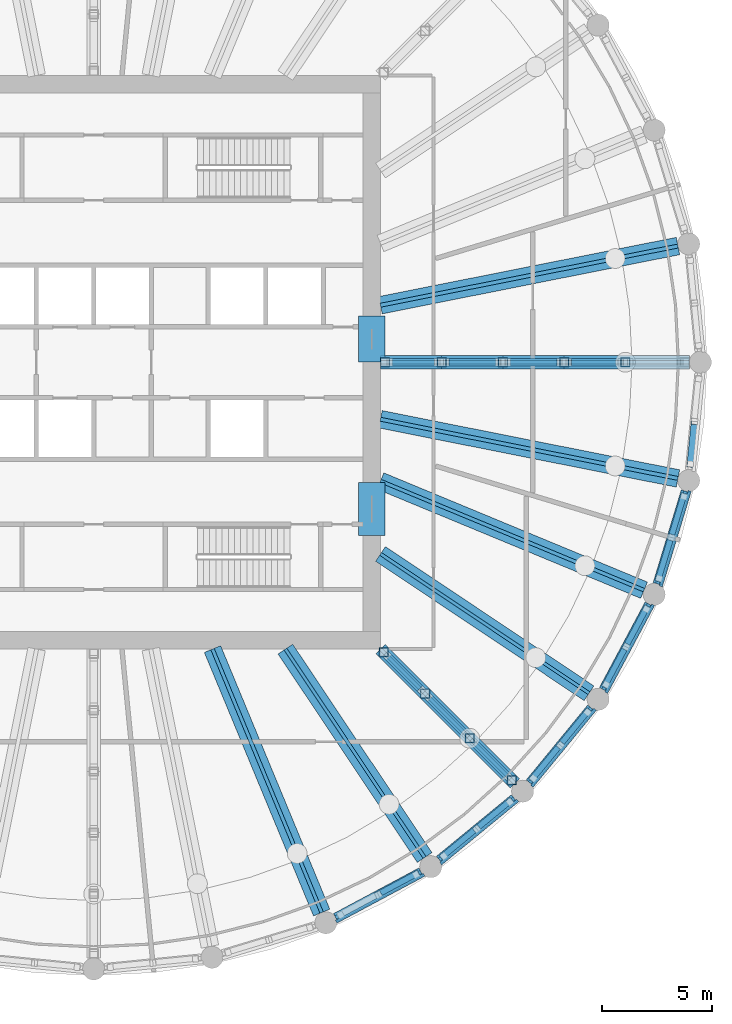
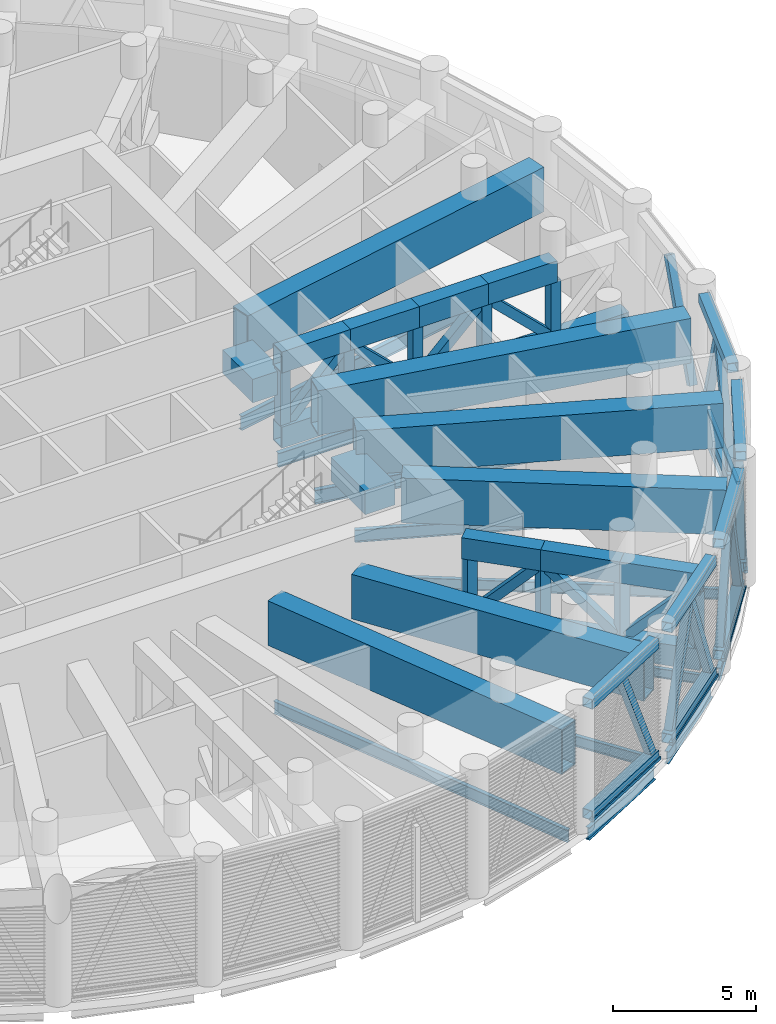
# One storey, part 4 of 24: 50 members, 21 beams, 5 elements without a shape of their own.
"""IFC4 building model written with IfcOpenShell, lengths in metres."""

from ifc_helpers import new_model, si_unit, direction, frame, origin, origin_2d, place, context, subcontext, project, spatial, rectangle, hollow_rectangle, i_section, extrude, material, material_profile, profile_set, type_object, element, aggregate, save


model = new_model("IFC4")

# Units and contexts
model_context = context("Model", 3, precision=1e-05, world=origin(), true_north=direction((0.0, 1.0)))
body_context = subcontext(model_context, "Body", "Model", "MODEL_VIEW")
ifc_project = project(units=[si_unit("LENGTHUNIT", "METRE"), si_unit("AREAUNIT", "SQUARE_METRE"), si_unit("VOLUMEUNIT", "CUBIC_METRE"), si_unit("PLANEANGLEUNIT", "RADIAN"), si_unit("MASSUNIT", "GRAM", prefix="KILO")], contexts=[model_context])

# Site, building, storey
site_placement = place(None, origin())
site = spatial("IfcSite", under=ifc_project, at=site_placement, CompositionType="ELEMENT")
building_placement = place(site_placement, origin())
building = spatial("IfcBuilding", under=site, at=building_placement, Name="Corvane Civic Tower", CompositionType="ELEMENT")
storey_placement = place(building_placement, frame((0.0, 0.0, 257.5)))
storey = spatial("IfcBuildingStorey", under=building, at=storey_placement, Name="L61", CompositionType="ELEMENT", Elevation=257.5)

# Members
ifc_material_1 = material(Name="Steel ASTM A500 Gr C", Category="steel")
ifc_material_profile_1 = material_profile(ifc_material_1, hollow_rectangle(XDim=0.406494140625, YDim=0.406494140625, WallThickness=0.0146484375, at=origin_2d()), Name="HSS16X16X5/8")
ifc_profile_set_1 = profile_set([ifc_material_profile_1], Name="Steel ASTM A500 Gr C")
member_type_1 = type_object("IfcMemberType", Name="BELT CHORD HSS16X16X5/8", PredefinedType="CHORD", material=ifc_profile_set_1)
for number, where, z_axis, x_axis, name in (
    (1, (26.826416015625, -5.843505859375, 4.94677734375), (-0.290254307888, -0.956949547653, 0.0), (0.956949547653, -0.290254307888, 0.0), "Belt truss BT-L61"),
    (2, (26.826416015625, -5.843505859375, 0.203125), (-0.290254307888, -0.956949547653, 0.0), (0.956949547653, -0.290254307888, 0.0), "Belt truss BT-L61"),
):
    element("IfcMember", number, at=place(storey_placement, frame(where, z_axis=z_axis, x_axis=x_axis)), inside=storey, type_object=member_type_1, Name=name, PredefinedType="CHORD", context=body_context, shape_type="SweptSolid", body=[
        extrude(hollow_rectangle(XDim=0.406494140625, YDim=0.406494140625, WallThickness=0.0146484375, at=origin_2d()), origin(), (0.0, 0.0, 1.0), 4.390625),
    ])
for number, where, z_axis, x_axis, name in (
    (3, (25.171142578125, -10.964599609375, 4.94677734375), (-0.471422006704, -0.881907756852, 0.0), (0.881907756852, -0.471422006704, 0.0), "Belt truss BT-L61"),
    (4, (25.171142578125, -10.964599609375, 0.203125), (-0.471422006704, -0.881907756852, 0.0), (0.881907756852, -0.471422006704, 0.0), "Belt truss BT-L61"),
    (5, (22.54833984375, -15.66455078125, 4.94677734375), (-0.634369433447, -0.773030026524, 0.0), (0.773030026524, -0.634369433447, 0.0), "Belt truss BT-L61"),
    (6, (22.54833984375, -15.66455078125, 0.203125), (-0.634369433447, -0.773030026524, 0.0), (0.773030026524, -0.634369433447, 0.0), "Belt truss BT-L61"),
    (7, (19.05908203125, -19.7626953125, 4.94677734375), (-0.773030026524, -0.634369433447, 0.0), (0.634369433447, -0.773030026524, 0.0), "Belt truss BT-L61"),
    (8, (19.05908203125, -19.7626953125, 0.203125), (-0.773030026524, -0.634369433447, 0.0), (0.634369433447, -0.773030026524, 0.0), "Belt truss BT-L61"),
    (9, (14.837158203125, -23.10107421875, 4.94677734375), (-0.881907756852, -0.471422006704, 0.0), (0.471422006704, -0.881907756852, 0.0), "Belt truss BT-L61"),
    (10, (14.837158203125, -23.10107421875, 0.203125), (-0.881907756852, -0.471422006704, 0.0), (0.471422006704, -0.881907756852, 0.0), "Belt truss BT-L61"),
):
    element("IfcMember", number, at=place(storey_placement, frame(where, z_axis=z_axis, x_axis=x_axis)), inside=storey, type_object=member_type_1, Name=name, PredefinedType="CHORD", context=body_context, shape_type="SweptSolid", body=[
        extrude(hollow_rectangle(XDim=0.406494140625, YDim=0.406494140625, WallThickness=0.0146484375, at=origin_2d()), origin(), (0.0, 0.0, 1.0), 4.39111328125),
    ])
ifc_material_2 = material(Name="Steel ASTM A500 Gr C", Category="steel")
ifc_material_profile_2 = material_profile(ifc_material_2, hollow_rectangle(XDim=0.3046875, YDim=0.3046875, WallThickness=0.01171875, at=origin_2d()), Name="HSS12X12X1/2")
ifc_profile_set_2 = profile_set([ifc_material_profile_2], Name="Steel ASTM A500 Gr C")
member_type_2 = type_object("IfcMemberType", Name="BELT DIAGONAL HSS12X12X1/2", PredefinedType="BRACE", material=ifc_profile_set_2)
for number, where, z_axis, x_axis, name in (
    (11, (27.045166015625, -4.61865234375, 0.406494140625), (0.040112508344, 0.407288336964, 0.912418323603), (-0.995185177501, 0.098012562879, 0.0), "Belt truss BT-L61"),
    (12, (26.75390625, -6.082763671875, 0.406494140625), (-0.118797380239, -0.391625604983, 0.912423458691), (0.956940979373, -0.290282555448, 0.0), "Belt truss BT-L61"),
    (13, (25.62451171875, -9.805908203125, 0.406494140625), (0.118797380239, 0.391625604983, 0.912423458691), (-0.956940979373, 0.290282555448, 0.0), "Belt truss BT-L61"),
    (14, (25.05322265625, -11.18505859375, 0.406494140625), (-0.192908446301, -0.36095861571, 0.912411754139), (0.88194965747, -0.471343613184, 0.0), "Belt truss BT-L61"),
):
    element("IfcMember", number, at=place(storey_placement, frame(where, z_axis=z_axis, x_axis=x_axis)), inside=storey, type_object=member_type_2, Name=name, PredefinedType="BRACE", context=body_context, shape_type="SweptSolid", body=[
        extrude(hollow_rectangle(XDim=0.3046875, YDim=0.3046875, WallThickness=0.01171875, at=origin_2d()), origin(), (0.0, 0.0, 1.0), 4.75341796875),
    ])
member_1_placement = place(storey_placement, frame((23.218994140625, -14.61669921875, 0.406494140625), z_axis=(0.192957894346, 0.360955038984, 0.912402713083), x_axis=(-0.881897488442, 0.47144121572, 0.0)))
element("IfcMember", 15, at=member_1_placement, inside=storey, type_object=member_type_2, Name="Belt truss BT-L61", PredefinedType="BRACE", context=body_context, shape_type="SweptSolid", body=[
    extrude(hollow_rectangle(XDim=0.3046875, YDim=0.3046875, WallThickness=0.01171875, at=origin_2d()), origin(), (0.0, 0.0, 1.0), 4.753662109375),
])
for number, where, z_axis, x_axis, name in (
    (16, (22.3896484375, -15.85791015625, 0.406494140625), (-0.259625765734, -0.316378776839, 0.912413793919), (0.773033921437, -0.634364687153, 0.0), "Belt truss BT-L61"),
    (17, (19.92138671875, -18.86572265625, 0.406494140625), (0.259625765734, 0.316378776839, 0.912413793919), (-0.773033921437, 0.634364687153, 0.0), "Belt truss BT-L61"),
    (18, (18.86572265625, -19.92138671875, 0.406494140625), (-0.316378776839, -0.259625765734, 0.912413793919), (0.634364687153, -0.773033921437, 0.0), "Belt truss BT-L61"),
    (19, (15.85791015625, -22.3896484375, 0.406494140625), (0.316378776839, 0.259625765734, 0.912413793919), (-0.634364687153, 0.773033921437, 0.0), "Belt truss BT-L61"),
):
    element("IfcMember", number, at=place(storey_placement, frame(where, z_axis=z_axis, x_axis=x_axis)), inside=storey, type_object=member_type_2, Name=name, PredefinedType="BRACE", context=body_context, shape_type="SweptSolid", body=[
        extrude(hollow_rectangle(XDim=0.3046875, YDim=0.3046875, WallThickness=0.01171875, at=origin_2d()), origin(), (0.0, 0.0, 1.0), 4.75341796875),
    ])
member_2_placement = place(storey_placement, frame((14.61669921875, -23.218994140625, 0.406494140625), z_axis=(-0.360955038984, -0.192957894346, 0.912402713083), x_axis=(0.47144121572, -0.881897488442, 0.0)))
element("IfcMember", 20, at=member_2_placement, inside=storey, type_object=member_type_2, Name="Belt truss BT-L61", PredefinedType="BRACE", context=body_context, shape_type="SweptSolid", body=[
    extrude(hollow_rectangle(XDim=0.3046875, YDim=0.3046875, WallThickness=0.01171875, at=origin_2d()), origin(), (0.0, 0.0, 1.0), 4.753662109375),
])

# Beams
ifc_material_3 = material(Name="Concrete C50/60", Category="concrete")
ifc_material_profile_3 = material_profile(ifc_material_3, rectangle(XDim=1.199951171875, YDim=1.0, at=origin_2d()), Name="COUPLING BEAM 1200X1000")
ifc_profile_set_3 = profile_set([ifc_material_profile_3], Name="Concrete C50/60")
beam_type_1 = type_object("IfcBeamType", Name="COUPLING BEAM COUPLING BEAM 1200X1000", PredefinedType="BEAM", material=ifc_profile_set_3)
beam_1_placement = place(storey_placement, frame((12.60009765625, 0.0, 2.60009765625), z_axis=(0.0, 1.0, 0.0), x_axis=(-1.0, 0.0, 0.0)))
element("IfcBeam", 21, at=beam_1_placement, inside=storey, type_object=beam_type_1, Name="BM-L61-cpl-CW-LE", PredefinedType="BEAM", context=body_context, shape_type="SweptSolid", body=[
    extrude(rectangle(XDim=1.199951171875, YDim=1.0, at=origin_2d()), origin(), (0.0, 0.0, 1.0), 2.10009765625),
])
beam_2_placement = place(storey_placement, frame((12.60009765625, -7.85009765625, 2.60009765625), z_axis=(0.0, 1.0, 0.0), x_axis=(-1.0, 0.0, 0.0)))
element("IfcBeam", 22, at=beam_2_placement, inside=storey, type_object=beam_type_1, Name="BM-L61-cpl-CW-ES", PredefinedType="BEAM", context=body_context, shape_type="SweptSolid", body=[
    extrude(rectangle(XDim=1.199951171875, YDim=1.0, at=origin_2d()), origin(), (0.0, 0.0, 1.0), 2.400146484375),
])
ifc_material_4 = material(Name="Steel ASTM A992 Gr 50", Category="steel")
ifc_material_profile_4 = material_profile(ifc_material_4, i_section(OverallWidth=0.165771484375, OverallDepth=0.5283203125, WebThickness=0.009765625, FlangeThickness=0.013671875, at=origin_2d()), Name="W21X50")
ifc_profile_set_4 = profile_set([ifc_material_profile_4], Name="Steel ASTM A992 Gr 50")
beam_type_2 = type_object("IfcBeamType", Name="EDGE BEAM W21X50", PredefinedType="BEAM", material=ifc_profile_set_4)
beam_3_placement = place(storey_placement, frame((26.826416015625, -5.843505859375, -0.6142578125), z_axis=(-0.290254307888, -0.956949547653, 0.0), x_axis=(0.956949547653, -0.290254307888, 0.0)))
element("IfcBeam", 23, at=beam_3_placement, inside=storey, type_object=beam_type_2, Name="BM-L61-E10", PredefinedType="BEAM", context=body_context, shape_type="SweptSolid", body=[
    extrude(i_section(OverallWidth=0.165771484375, OverallDepth=0.5283203125, WebThickness=0.009765625, FlangeThickness=0.013671875, at=origin_2d()), origin(), (0.0, 0.0, 1.0), 4.390625),
])
for number, where, z_axis, x_axis, name in (
    (24, (25.171142578125, -10.964599609375, -0.6142578125), (-0.471422006704, -0.881907756852, 0.0), (0.881907756852, -0.471422006704, 0.0), "BM-L61-E11"),
    (25, (22.54833984375, -15.66455078125, -0.6142578125), (-0.634369433447, -0.773030026524, 0.0), (0.773030026524, -0.634369433447, 0.0), "BM-L61-E12"),
    (26, (19.05908203125, -19.7626953125, -0.6142578125), (-0.773030026524, -0.634369433447, 0.0), (0.634369433447, -0.773030026524, 0.0), "BM-L61-E13"),
    (27, (14.837158203125, -23.10107421875, -0.6142578125), (-0.881907756852, -0.471422006704, 0.0), (0.471422006704, -0.881907756852, 0.0), "BM-L61-E14"),
):
    element("IfcBeam", number, at=place(storey_placement, frame(where, z_axis=z_axis, x_axis=x_axis)), inside=storey, type_object=beam_type_2, Name=name, PredefinedType="BEAM", context=body_context, shape_type="SweptSolid", body=[
        extrude(i_section(OverallWidth=0.165771484375, OverallDepth=0.5283203125, WebThickness=0.009765625, FlangeThickness=0.013671875, at=origin_2d()), origin(), (0.0, 0.0, 1.0), 4.39111328125),
    ])
ifc_material_5 = material(Name="Steel ASTM A992 Gr 50", Category="steel")
ifc_material_profile_5 = material_profile(ifc_material_5, i_section(OverallWidth=0.140380859375, OverallDepth=0.40380859375, WebThickness=0.007080078125, FlangeThickness=0.01123046875, at=origin_2d()), Name="W16X31")
ifc_profile_set_5 = profile_set([ifc_material_profile_5], Name="Steel ASTM A992 Gr 50")
beam_type_3 = type_object("IfcBeamType", Name="FLOOR GIRDER W16X31", PredefinedType="BEAM", material=ifc_profile_set_5)
beam_4_placement = place(storey_placement, frame((13.0, -13.0, -0.552001953125), z_axis=(0.707106781187, -0.707106781187, 0.0), x_axis=(0.707106781187, 0.707106781187, 0.0)))
element("IfcBeam", 28, at=beam_4_placement, inside=storey, type_object=beam_type_3, Name="BM-L61-G13", PredefinedType="BEAM", context=body_context, shape_type="SweptSolid", body=[
    extrude(i_section(OverallWidth=0.140380859375, OverallDepth=0.40380859375, WebThickness=0.007080078125, FlangeThickness=0.01123046875, at=origin_2d()), origin(), (0.0, 0.0, 1.0), 8.614990234375),
])
ifc_material_6 = material(Name="Steel ASTM A992 Gr 50", Category="steel")
ifc_material_profile_6 = material_profile(ifc_material_6, i_section(OverallWidth=0.15283203125, OverallDepth=0.45458984375, WebThickness=0.008056640625, FlangeThickness=0.013427734375, at=origin_2d()), Name="W18X40")
ifc_profile_set_6 = profile_set([ifc_material_profile_6], Name="Steel ASTM A992 Gr 50")
beam_type_4 = type_object("IfcBeamType", Name="FLOOR GIRDER W18X40", PredefinedType="BEAM", material=ifc_profile_set_6)
for number, where, z_axis, x_axis, name in (
    (29, (13.0, -8.686279296875, -0.577392578125), (0.831464872557, -0.555577326485, 0.0), (0.555577326485, 0.831464872557, 0.0), "BM-L61-G12"),
    (30, (8.686279296875, -13.0, -0.577392578125), (0.555577326485, -0.831464872557, 0.0), (0.831464872557, 0.555577326485, 0.0), "BM-L61-G14"),
):
    element("IfcBeam", number, at=place(storey_placement, frame(where, z_axis=z_axis, x_axis=x_axis)), inside=storey, type_object=beam_type_4, Name=name, PredefinedType="BEAM", context=body_context, shape_type="SweptSolid", body=[
        extrude(i_section(OverallWidth=0.15283203125, OverallDepth=0.45458984375, WebThickness=0.008056640625, FlangeThickness=0.013427734375, at=origin_2d()), origin(), (0.0, 0.0, 1.0), 11.365234375),
    ])
ifc_material_7 = material(Name="Steel ASTM A992 Gr 50", Category="steel")
ifc_material_profile_7 = material_profile(ifc_material_7, i_section(OverallWidth=0.165771484375, OverallDepth=0.5283203125, WebThickness=0.009765625, FlangeThickness=0.013671875, at=origin_2d()), Name="W21X50")
ifc_profile_set_7 = profile_set([ifc_material_profile_7], Name="Steel ASTM A992 Gr 50")
beam_type_5 = type_object("IfcBeamType", Name="FLOOR GIRDER W21X50", PredefinedType="BEAM", material=ifc_profile_set_7)
for number, where, z_axis, x_axis, name in (
    (31, (13.0, -5.384765625, -0.6142578125), (0.923878282404, -0.382686450378, 0.0), (0.382686450378, 0.923878282404, 0.0), "BM-L61-G11"),
    (32, (5.384765625, -13.0, -0.6142578125), (0.382686450378, -0.923878282404, 0.0), (0.923878282404, 0.382686450378, 0.0), "BM-L61-G15"),
):
    element("IfcBeam", number, at=place(storey_placement, frame(where, z_axis=z_axis, x_axis=x_axis)), inside=storey, type_object=beam_type_5, Name=name, PredefinedType="BEAM", context=body_context, shape_type="SweptSolid", body=[
        extrude(i_section(OverallWidth=0.165771484375, OverallDepth=0.5283203125, WebThickness=0.009765625, FlangeThickness=0.013671875, at=origin_2d()), origin(), (0.0, 0.0, 1.0), 12.928955078125),
    ])
ifc_material_8 = material(Name="Steel ASTM A992 Gr 50", Category="steel")
ifc_material_profile_8 = material_profile(ifc_material_8, i_section(OverallWidth=0.177978515625, OverallDepth=0.599365234375, WebThickness=0.010009765625, FlangeThickness=0.012939453125, at=origin_2d()), Name="W24X55")
ifc_profile_set_8 = profile_set([ifc_material_profile_8], Name="Steel ASTM A992 Gr 50")
beam_type_6 = type_object("IfcBeamType", Name="FLOOR GIRDER W24X55", PredefinedType="BEAM", material=ifc_profile_set_8)
beam_5_placement = place(storey_placement, frame((13.0, 2.5859375, -0.649658203125), z_axis=(0.980787802109, 0.195077644118, 0.0), x_axis=(-0.195077644118, 0.980787802109, 0.0)))
element("IfcBeam", 33, at=beam_5_placement, inside=storey, type_object=beam_type_6, Name="BM-L61-G08", PredefinedType="BEAM", context=body_context, shape_type="SweptSolid", body=[
    extrude(i_section(OverallWidth=0.177978515625, OverallDepth=0.599365234375, WebThickness=0.010009765625, FlangeThickness=0.012939453125, at=origin_2d()), origin(), (0.0, 0.0, 1.0), 13.745361328125),
])
beam_6_placement = place(storey_placement, frame((13.0, 0.0, -0.649658203125), z_axis=(1.0, 0.0, 0.0), x_axis=(0.0, 1.0, 0.0)))
element("IfcBeam", 34, at=beam_6_placement, inside=storey, type_object=beam_type_6, Name="BM-L61-G09", PredefinedType="BEAM", context=body_context, shape_type="SweptSolid", body=[
    extrude(i_section(OverallWidth=0.177978515625, OverallDepth=0.599365234375, WebThickness=0.010009765625, FlangeThickness=0.012939453125, at=origin_2d()), origin(), (0.0, 0.0, 1.0), 14.0),
])
beam_7_placement = place(storey_placement, frame((13.0, -2.5859375, -0.649658203125), z_axis=(0.980787802109, -0.195077644118, 0.0), x_axis=(0.195077644118, 0.980787802109, 0.0)))
element("IfcBeam", 35, at=beam_7_placement, inside=storey, type_object=beam_type_6, Name="BM-L61-G10", PredefinedType="BEAM", context=body_context, shape_type="SweptSolid", body=[
    extrude(i_section(OverallWidth=0.177978515625, OverallDepth=0.599365234375, WebThickness=0.010009765625, FlangeThickness=0.012939453125, at=origin_2d()), origin(), (0.0, 0.0, 1.0), 13.745361328125),
])

# Members
ifc_material_9 = material(Name="Steel ASTM A572 Gr 50", Category="steel")
ifc_material_profile_9 = material_profile(ifc_material_9, hollow_rectangle(XDim=0.60009765625, YDim=0.89990234375, WallThickness=0.0400390625, at=origin_2d()), Name="BOX900X600X40")
ifc_profile_set_9 = profile_set([ifc_material_profile_9], Name="Steel ASTM A572 Gr 50")
member_type_3 = type_object("IfcMemberType", Name="OUTRIGGER CHORD BOX900X600X40", PredefinedType="CHORD", material=ifc_profile_set_9)
member_3_placement = place(storey_placement, frame((13.0, 0.0, 3.64990234375), z_axis=(1.0, 0.0, 0.0), x_axis=(0.0, 1.0, 0.0)))
element("IfcMember", 36, at=member_3_placement, inside=storey, type_object=member_type_3, Name="Outrigger truss OT-L61-3", PredefinedType="CHORD", context=body_context, shape_type="SweptSolid", body=[
    extrude(hollow_rectangle(XDim=0.60009765625, YDim=0.89990234375, WallThickness=0.0400390625, at=origin_2d()), origin(), (0.0, 0.0, 1.0), 2.77490234375),
])
member_4_placement = place(storey_placement, frame((15.77490234375, 0.0, 3.64990234375), z_axis=(1.0, 0.0, 0.0), x_axis=(0.0, 1.0, 0.0)))
element("IfcMember", 37, at=member_4_placement, inside=storey, type_object=member_type_3, Name="Outrigger truss OT-L61-3", PredefinedType="CHORD", context=body_context, shape_type="SweptSolid", body=[
    extrude(hollow_rectangle(XDim=0.60009765625, YDim=0.89990234375, WallThickness=0.0400390625, at=origin_2d()), origin(), (0.0, 0.0, 1.0), 2.775146484375),
])
member_5_placement = place(storey_placement, frame((18.550048828125, 0.0, 3.64990234375), z_axis=(1.0, 0.0, 0.0), x_axis=(0.0, 1.0, 0.0)))
element("IfcMember", 38, at=member_5_placement, inside=storey, type_object=member_type_3, Name="Outrigger truss OT-L61-3", PredefinedType="CHORD", context=body_context, shape_type="SweptSolid", body=[
    extrude(hollow_rectangle(XDim=0.60009765625, YDim=0.89990234375, WallThickness=0.0400390625, at=origin_2d()), origin(), (0.0, 0.0, 1.0), 2.77490234375),
])
member_6_placement = place(storey_placement, frame((21.324951171875, 0.0, 3.64990234375), z_axis=(1.0, 0.0, 0.0), x_axis=(0.0, 1.0, 0.0)))
element("IfcMember", 39, at=member_6_placement, inside=storey, type_object=member_type_3, Name="Outrigger truss OT-L61-3", PredefinedType="CHORD", context=body_context, shape_type="SweptSolid", body=[
    extrude(hollow_rectangle(XDim=0.60009765625, YDim=0.89990234375, WallThickness=0.0400390625, at=origin_2d()), origin(), (0.0, 0.0, 1.0), 2.775146484375),
])
member_7_placement = place(storey_placement, frame((13.0, 0.0, 0.449951171875), z_axis=(1.0, 0.0, 0.0), x_axis=(0.0, 1.0, 0.0)))
element("IfcMember", 40, at=member_7_placement, inside=storey, type_object=member_type_3, Name="Outrigger truss OT-L61-3", PredefinedType="CHORD", context=body_context, shape_type="SweptSolid", body=[
    extrude(hollow_rectangle(XDim=0.60009765625, YDim=0.89990234375, WallThickness=0.0400390625, at=origin_2d()), origin(), (0.0, 0.0, 1.0), 14.0),
])
member_8_placement = place(storey_placement, frame((13.0, -13.0, 3.64990234375), z_axis=(0.707106781187, -0.707106781187, 0.0), x_axis=(0.707106781187, 0.707106781187, 0.0)))
element("IfcMember", 41, at=member_8_placement, inside=storey, type_object=member_type_3, Name="Outrigger truss OT-L61-4", PredefinedType="CHORD", context=body_context, shape_type="SweptSolid", body=[
    extrude(hollow_rectangle(XDim=0.60009765625, YDim=0.89990234375, WallThickness=0.0400390625, at=origin_2d()), origin(), (0.0, 0.0, 1.0), 2.857666015625),
])
member_9_placement = place(storey_placement, frame((15.020751953125, -15.020751953125, 3.64990234375), z_axis=(0.707106781187, -0.707106781187, 0.0), x_axis=(0.707106781187, 0.707106781187, 0.0)))
element("IfcMember", 42, at=member_9_placement, inside=storey, type_object=member_type_3, Name="Outrigger truss OT-L61-4", PredefinedType="CHORD", context=body_context, shape_type="SweptSolid", body=[
    extrude(hollow_rectangle(XDim=0.60009765625, YDim=0.89990234375, WallThickness=0.0400390625, at=origin_2d()), origin(), (0.0, 0.0, 1.0), 2.857421875),
])
member_10_placement = place(storey_placement, frame((17.041259765625, -17.041259765625, 3.64990234375), z_axis=(0.707106781187, -0.707106781187, 0.0), x_axis=(0.707106781187, 0.707106781187, 0.0)))
element("IfcMember", 43, at=member_10_placement, inside=storey, type_object=member_type_3, Name="Outrigger truss OT-L61-4", PredefinedType="CHORD", context=body_context, shape_type="SweptSolid", body=[
    extrude(hollow_rectangle(XDim=0.60009765625, YDim=0.89990234375, WallThickness=0.0400390625, at=origin_2d()), origin(), (0.0, 0.0, 1.0), 2.89990234375),
])
member_11_placement = place(storey_placement, frame((13.0, -13.0, 0.449951171875), z_axis=(0.707106781187, -0.707106781187, 0.0), x_axis=(0.707106781187, 0.707106781187, 0.0)))
element("IfcMember", 44, at=member_11_placement, inside=storey, type_object=member_type_3, Name="Outrigger truss OT-L61-4", PredefinedType="CHORD", context=body_context, shape_type="SweptSolid", body=[
    extrude(hollow_rectangle(XDim=0.60009765625, YDim=0.89990234375, WallThickness=0.0400390625, at=origin_2d()), origin(), (0.0, 0.0, 1.0), 8.614990234375),
])
ifc_material_10 = material(Name="Steel ASTM A500 Gr C", Category="steel")
ifc_material_profile_10 = material_profile(ifc_material_10, hollow_rectangle(XDim=0.355712890625, YDim=0.355712890625, WallThickness=0.01171875, at=origin_2d()), Name="HSS14X14X1/2")
ifc_profile_set_10 = profile_set([ifc_material_profile_10], Name="Steel ASTM A500 Gr C")
member_type_4 = type_object("IfcMemberType", Name="OUTRIGGER DIAGONAL HSS14X14X1/2", PredefinedType="BRACE", material=ifc_profile_set_10)
member_12_placement = place(storey_placement, frame((13.406494140625, 0.0, 0.89990234375), z_axis=(0.685453892401, 0.0, 0.728116035665), x_axis=(0.0, 1.0, 0.0)))
element("IfcMember", 45, at=member_12_placement, inside=storey, type_object=member_type_4, Name="Outrigger truss OT-L61-3", PredefinedType="BRACE", context=body_context, shape_type="SweptSolid", body=[
    extrude(hollow_rectangle(XDim=0.355712890625, YDim=0.355712890625, WallThickness=0.01171875, at=origin_2d()), origin(), (0.0, 0.0, 1.0), 3.158935546875),
])
for number, where, z_axis, x_axis, name in (
    (46, (15.978271484375, 0.0, 3.199951171875), (0.717383914555, 0.0, -0.696678059894), (0.0, 1.0, 0.0), "Outrigger truss OT-L61-3"),
    (47, (18.753173828125, 0.0, 0.89990234375), (0.717419803843, 0.0, 0.696641102042), (0.0, 1.0, 0.0), "Outrigger truss OT-L61-3"),
    (48, (21.5283203125, 0.0, 3.199951171875), (0.717383914555, 0.0, -0.696678059894), (0.0, 1.0, 0.0), "Outrigger truss OT-L61-3"),
):
    element("IfcMember", number, at=place(storey_placement, frame(where, z_axis=z_axis, x_axis=x_axis)), inside=storey, type_object=member_type_4, Name=name, PredefinedType="BRACE", context=body_context, shape_type="SweptSolid", body=[
        extrude(hollow_rectangle(XDim=0.355712890625, YDim=0.355712890625, WallThickness=0.01171875, at=origin_2d()), origin(), (0.0, 0.0, 1.0), 3.301513671875),
    ])
member_13_placement = place(storey_placement, frame((13.287353515625, -13.287353515625, 0.89990234375), z_axis=(0.494249277521, -0.494249277521, 0.715147050151), x_axis=(0.707106781187, 0.707106781187, 0.0)))
element("IfcMember", 49, at=member_13_placement, inside=storey, type_object=member_type_4, Name="Outrigger truss OT-L61-4", PredefinedType="BRACE", context=body_context, shape_type="SweptSolid", body=[
    extrude(hollow_rectangle(XDim=0.355712890625, YDim=0.355712890625, WallThickness=0.01171875, at=origin_2d()), origin(), (0.0, 0.0, 1.0), 3.21630859375),
])
member_14_placement = place(storey_placement, frame((15.164306640625, -15.164306640625, 3.199951171875), z_axis=(0.515664863486, -0.515664863486, -0.684236433648), x_axis=(0.707106781187, 0.707106781187, 0.0)))
element("IfcMember", 50, at=member_14_placement, inside=storey, type_object=member_type_4, Name="Outrigger truss OT-L61-4", PredefinedType="BRACE", context=body_context, shape_type="SweptSolid", body=[
    extrude(hollow_rectangle(XDim=0.355712890625, YDim=0.355712890625, WallThickness=0.01171875, at=origin_2d()), origin(), (0.0, 0.0, 1.0), 3.361572265625),
])
member_15_placement = place(storey_placement, frame((17.18505859375, -17.18505859375, 0.89990234375), z_axis=(0.498921228114, -0.498921228114, 0.708629110518), x_axis=(0.707106781187, 0.707106781187, 0.0)))
element("IfcMember", 51, at=member_15_placement, inside=storey, type_object=member_type_4, Name="Outrigger truss OT-L61-4", PredefinedType="BRACE", context=body_context, shape_type="SweptSolid", body=[
    extrude(hollow_rectangle(XDim=0.355712890625, YDim=0.355712890625, WallThickness=0.01171875, at=origin_2d()), origin(), (0.0, 0.0, 1.0), 3.245849609375),
])
ifc_material_11 = material(Name="Steel ASTM A500 Gr C", Category="steel")
ifc_material_profile_11 = material_profile(ifc_material_11, hollow_rectangle(XDim=0.406494140625, YDim=0.406494140625, WallThickness=0.0146484375, at=origin_2d()), Name="HSS16X16X5/8")
ifc_profile_set_11 = profile_set([ifc_material_profile_11], Name="Steel ASTM A500 Gr C")
member_type_5 = type_object("IfcMemberType", Name="OUTRIGGER POST HSS16X16X5/8", PredefinedType="POST", material=ifc_profile_set_11)
for number, where, z_axis, x_axis, name in (
    (52, (13.203125, 0.0, 0.89990234375), (0.0, 0.0, 1.0), (1.0, 0.0, 0.0), "Outrigger truss OT-L61-3"),
    (53, (15.77490234375, 0.0, 0.89990234375), (0.0, 0.0, 1.0), (1.0, 0.0, 0.0), "Outrigger truss OT-L61-3"),
    (54, (18.550048828125, 0.0, 0.89990234375), (0.0, 0.0, 1.0), (1.0, 0.0, 0.0), "Outrigger truss OT-L61-3"),
    (55, (21.324951171875, 0.0, 0.89990234375), (0.0, 0.0, 1.0), (1.0, 0.0, 0.0), "Outrigger truss OT-L61-3"),
    (56, (24.10009765625, 0.0, 0.89990234375), (0.0, 0.0, 1.0), (1.0, 0.0, 0.0), "Outrigger truss OT-L61-3"),
    (57, (13.143798828125, -13.143798828125, 0.89990234375), (0.0, 0.0, 1.0), (1.0, 0.0, 0.0), "Outrigger truss OT-L61-4"),
    (58, (15.020751953125, -15.020751953125, 0.89990234375), (0.0, 0.0, 1.0), (1.0, 0.0, 0.0), "Outrigger truss OT-L61-4"),
    (59, (17.041259765625, -17.041259765625, 0.89990234375), (0.0, 0.0, 1.0), (1.0, 0.0, 0.0), "Outrigger truss OT-L61-4"),
    (60, (18.9482421875, -18.9482421875, 0.89990234375), (0.0, 0.0, 1.0), (1.0, 0.0, 0.0), "Outrigger truss OT-L61-4"),
):
    element("IfcMember", number, at=place(storey_placement, frame(where, z_axis=z_axis, x_axis=x_axis)), inside=storey, type_object=member_type_5, Name=name, PredefinedType="POST", context=body_context, shape_type="SweptSolid", body=[
        extrude(hollow_rectangle(XDim=0.406494140625, YDim=0.406494140625, WallThickness=0.0146484375, at=origin_2d()), origin(), (0.0, 0.0, 1.0), 2.300048828125),
    ])

# Curtain wall, member
ifc_material_12 = material(Name="Anodised aluminium bronze", Category="aluminium")
curtain_wall_type = type_object("IfcCurtainWallType", Name="TOWER CW-LV LOUVRE SCREEN WALL", PredefinedType="NOTDEFINED", material=ifc_material_12)
curtain_wall_1_placement = place(storey_placement, origin())
curtain_wall_1 = element("IfcCurtainWall", 61, at=curtain_wall_1_placement, inside=storey, type_object=curtain_wall_type, Name="Louvre screen wall CW-LV L61 bay 10", PredefinedType="NOTDEFINED")
ifc_material_13 = material(Name="Anodised aluminium bronze", Category="aluminium")
ifc_material_profile_12 = material_profile(ifc_material_13, rectangle(XDim=0.139892578125, YDim=0.1201171875, at=origin_2d()), Name="TOWER CW-LV TRANSOM 140x120")
ifc_profile_set_12 = profile_set([ifc_material_profile_12], Name="Anodised aluminium bronze")
member_type_6 = type_object("IfcMemberType", Name="TOWER CW-LV TRANSOM 140x120", PredefinedType="USERDEFINED", material=ifc_profile_set_12)
member_16_placement = place(storey_placement, frame((27.016357421875, -5.8349609375, 0.06005859375), z_axis=(-0.2902818869, -0.956941182173, 0.0), x_axis=(0.956941182173, -0.2902818869, 0.0)))
member_16 = element("IfcMember", 62, at=member_16_placement, type_object=member_type_6, Name="Transom CW-LV L61 10.1", ObjectType="TRANSOM", PredefinedType="USERDEFINED", context=body_context, shape_type="SweptSolid", body=[
    extrude(rectangle(XDim=0.139892578125, YDim=0.1201171875, at=origin_2d()), origin(), (0.0, 0.0, 1.0), 4.517333984375),
])
aggregate(curtain_wall_1, [member_16])

curtain_wall_2_placement = place(storey_placement, origin())
curtain_wall_2 = element("IfcCurtainWall", 63, at=curtain_wall_2_placement, inside=storey, type_object=curtain_wall_type, Name="Louvre screen wall CW-LV L61 bay 11", PredefinedType="NOTDEFINED")
member_17_placement = place(storey_placement, frame((25.35888671875, -10.993408203125, 0.06005859375), z_axis=(-0.471390317183, -0.881924695689, 0.0), x_axis=(0.881924695689, -0.471390317183, 0.0)))
member_17 = element("IfcMember", 64, at=member_17_placement, type_object=member_type_6, Name="Transom CW-LV L61 11.1", ObjectType="TRANSOM", PredefinedType="USERDEFINED", context=body_context, shape_type="SweptSolid", body=[
    extrude(rectangle(XDim=0.139892578125, YDim=0.1201171875, at=origin_2d()), origin(), (0.0, 0.0, 1.0), 4.517333984375),
])
aggregate(curtain_wall_2, [member_17])

curtain_wall_3_placement = place(storey_placement, origin())
curtain_wall_3 = element("IfcCurtainWall", 65, at=curtain_wall_3_placement, inside=storey, type_object=curtain_wall_type, Name="Louvre screen wall CW-LV L61 bay 12", PredefinedType="NOTDEFINED")
member_18_placement = place(storey_placement, frame((22.726806640625, -15.7294921875, 0.06005859375), z_axis=(-0.634387834569, -0.773014925698, 0.0), x_axis=(0.773014925698, -0.634387834569, 0.0)))
member_18 = element("IfcMember", 66, at=member_18_placement, type_object=member_type_6, Name="Transom CW-LV L61 12.1", ObjectType="TRANSOM", PredefinedType="USERDEFINED", context=body_context, shape_type="SweptSolid", body=[
    extrude(rectangle(XDim=0.139892578125, YDim=0.1201171875, at=origin_2d()), origin(), (0.0, 0.0, 1.0), 4.517333984375),
])
aggregate(curtain_wall_3, [member_18])

curtain_wall_4_placement = place(storey_placement, origin())
curtain_wall_4 = element("IfcCurtainWall", 67, at=curtain_wall_4_placement, inside=storey, type_object=curtain_wall_type, Name="Louvre screen wall CW-LV L61 bay 13", PredefinedType="NOTDEFINED")
member_19_placement = place(storey_placement, frame((19.221435546875, -19.861083984375, 0.06005859375), z_axis=(-0.773014925698, -0.634387834569, 0.0), x_axis=(0.634387834569, -0.773014925698, 0.0)))
member_19 = element("IfcMember", 68, at=member_19_placement, type_object=member_type_6, Name="Transom CW-LV L61 13.1", ObjectType="TRANSOM", PredefinedType="USERDEFINED", context=body_context, shape_type="SweptSolid", body=[
    extrude(rectangle(XDim=0.139892578125, YDim=0.1201171875, at=origin_2d()), origin(), (0.0, 0.0, 1.0), 4.517333984375),
])
aggregate(curtain_wall_4, [member_19])

curtain_wall_5_placement = place(storey_placement, origin())
curtain_wall_5 = element("IfcCurtainWall", 69, at=curtain_wall_5_placement, inside=storey, type_object=curtain_wall_type, Name="Louvre screen wall CW-LV L61 bay 14", PredefinedType="NOTDEFINED")
member_20_placement = place(storey_placement, frame((14.977294921875, -23.2294921875, 0.06005859375), z_axis=(-0.881924695689, -0.471390317183, 0.0), x_axis=(0.471390317183, -0.881924695689, 0.0)))
member_20 = element("IfcMember", 70, at=member_20_placement, type_object=member_type_6, Name="Transom CW-LV L61 14.1", ObjectType="TRANSOM", PredefinedType="USERDEFINED", context=body_context, shape_type="SweptSolid", body=[
    extrude(rectangle(XDim=0.139892578125, YDim=0.1201171875, at=origin_2d()), origin(), (0.0, 0.0, 1.0), 4.517333984375),
])
aggregate(curtain_wall_5, [member_20])

# Beams
ifc_material_14 = material(Name="Steel ASTM A572 Gr 50", Category="steel")
ifc_material_profile_13 = material_profile(ifc_material_14, hollow_rectangle(XDim=0.800048828125, YDim=1.89990234375, WallThickness=0.050048828125, at=origin_2d()), Name="BOX1900X800X50")
ifc_profile_set_13 = profile_set([ifc_material_profile_13], Name="Steel ASTM A572 Gr 50")
beam_type_7 = type_object("IfcBeamType", Name="TRANSFER GIRDER BOX1900X800X50", PredefinedType="BEAM", material=ifc_profile_set_13)
for number, where, z_axis, x_axis, name in (
    (71, (13.0, 2.5859375, 3.14990234375), (0.980787802109, 0.195077644118, 0.0), (-0.195077644118, 0.980787802109, 0.0), "Transfer girder TG-L61-8"),
    (72, (13.0, -2.5859375, 3.14990234375), (0.980787802109, -0.195077644118, 0.0), (0.195077644118, 0.980787802109, 0.0), "Transfer girder TG-L61-10"),
):
    element("IfcBeam", number, at=place(storey_placement, frame(where, z_axis=z_axis, x_axis=x_axis)), inside=storey, type_object=beam_type_7, Name=name, PredefinedType="BEAM", context=body_context, shape_type="SweptSolid", body=[
        extrude(hollow_rectangle(XDim=0.800048828125, YDim=1.89990234375, WallThickness=0.050048828125, at=origin_2d()), origin(), (0.0, 0.0, 1.0), 13.745361328125),
    ])
beam_8_placement = place(storey_placement, frame((13.0, -5.384765625, 3.14990234375), z_axis=(0.923878282404, -0.382686450378, 0.0), x_axis=(0.382686450378, 0.923878282404, 0.0)))
element("IfcBeam", 73, at=beam_8_placement, inside=storey, type_object=beam_type_7, Name="Transfer girder TG-L61-11", PredefinedType="BEAM", context=body_context, shape_type="SweptSolid", body=[
    extrude(hollow_rectangle(XDim=0.800048828125, YDim=1.89990234375, WallThickness=0.050048828125, at=origin_2d()), origin(), (0.0, 0.0, 1.0), 12.928955078125),
])
for number, where, z_axis, x_axis, name in (
    (74, (13.0, -8.686279296875, 3.14990234375), (0.831464872557, -0.555577326485, 0.0), (0.555577326485, 0.831464872557, 0.0), "Transfer girder TG-L61-12"),
    (75, (8.686279296875, -13.0, 3.14990234375), (0.555577326485, -0.831464872557, 0.0), (0.831464872557, 0.555577326485, 0.0), "Transfer girder TG-L61-14"),
):
    element("IfcBeam", number, at=place(storey_placement, frame(where, z_axis=z_axis, x_axis=x_axis)), inside=storey, type_object=beam_type_7, Name=name, PredefinedType="BEAM", context=body_context, shape_type="SweptSolid", body=[
        extrude(hollow_rectangle(XDim=0.800048828125, YDim=1.89990234375, WallThickness=0.050048828125, at=origin_2d()), origin(), (0.0, 0.0, 1.0), 11.365234375),
    ])
beam_9_placement = place(storey_placement, frame((5.384765625, -13.0, 3.14990234375), z_axis=(0.382686450378, -0.923878282404, 0.0), x_axis=(0.923878282404, 0.382686450378, 0.0)))
element("IfcBeam", 76, at=beam_9_placement, inside=storey, type_object=beam_type_7, Name="Transfer girder TG-L61-15", PredefinedType="BEAM", context=body_context, shape_type="SweptSolid", body=[
    extrude(hollow_rectangle(XDim=0.800048828125, YDim=1.89990234375, WallThickness=0.050048828125, at=origin_2d()), origin(), (0.0, 0.0, 1.0), 12.928955078125),
])

save(model, "model.ifc")
